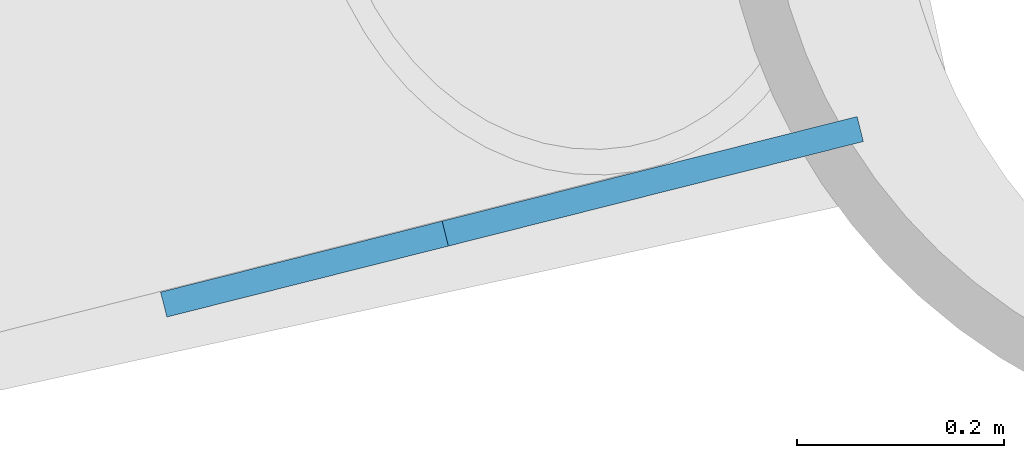
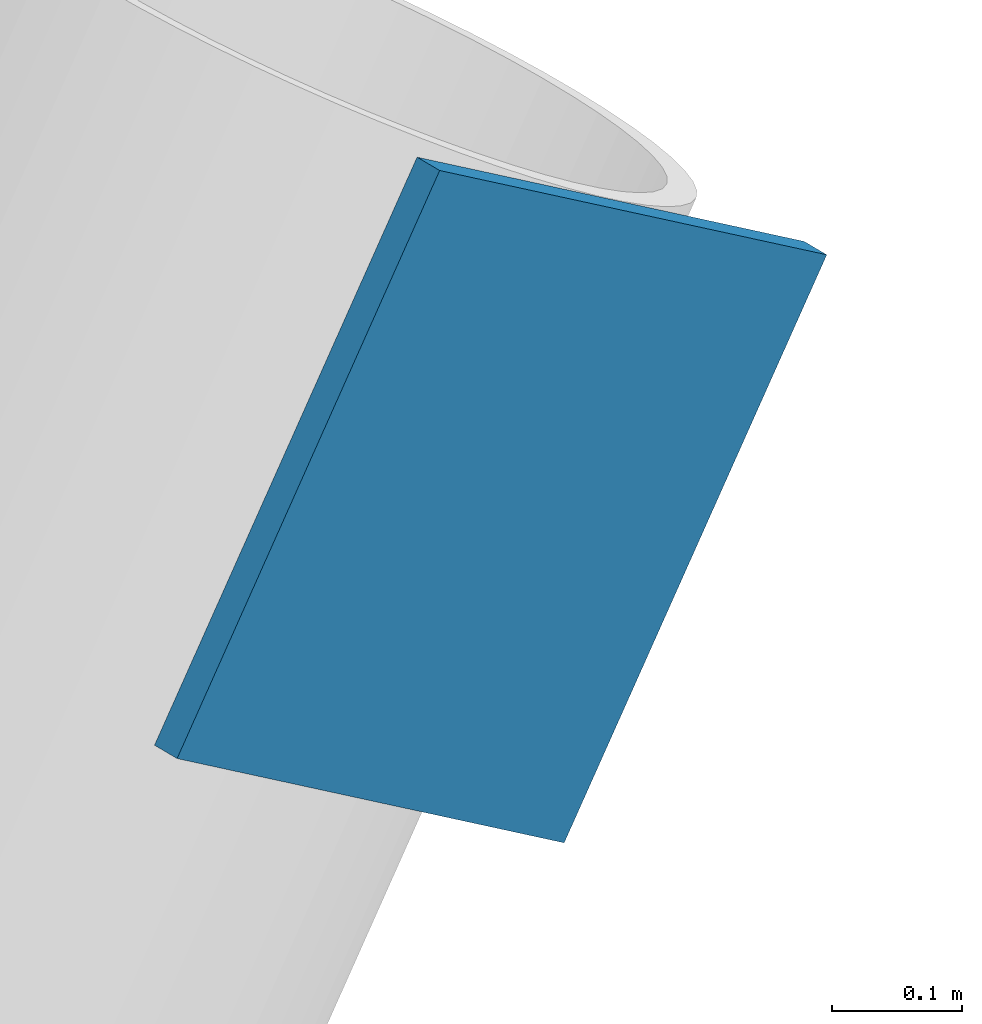
# One storey, part 14 of 23: 1 discrete accessory.
"""IFC4 building model written with IfcOpenShell, lengths in metres."""

from ifc_helpers import new_model, si_unit, direction, frame, origin, origin_2d, place, context, subcontext, project, spatial, rectangle, extrude, material, material_profile, profile_set, type_object, element, save


model = new_model("IFC4")

# Units and contexts
model_context = context("Model", 3, precision=1e-05, world=origin(), true_north=direction((0.0, 1.0)))
body_context = subcontext(model_context, "Body", "Model", "MODEL_VIEW")
ifc_project = project(units=[si_unit("LENGTHUNIT", "METRE"), si_unit("AREAUNIT", "SQUARE_METRE"), si_unit("VOLUMEUNIT", "CUBIC_METRE"), si_unit("PLANEANGLEUNIT", "RADIAN"), si_unit("MASSUNIT", "GRAM", prefix="KILO")], contexts=[model_context])

# Site, building, storey
site_placement = place(None, origin())
site = spatial("IfcSite", under=ifc_project, at=site_placement, CompositionType="ELEMENT")
building_placement = place(site_placement, origin())
building = spatial("IfcBuilding", under=site, at=building_placement, Name="Tarsis Ring Headquarters", CompositionType="ELEMENT")
storey_placement = place(building_placement, frame((0.0, 0.0, 131.800048828125)))
storey = spatial("IfcBuildingStorey", under=building, at=storey_placement, Name="L30", CompositionType="ELEMENT", Elevation=131.800048828125)

# Discrete accessory
ifc_material = material(Name="Structural steel S355", Category="steel")
ifc_material_profile = material_profile(ifc_material, rectangle(XDim=0.02490234375, YDim=0.5, at=origin_2d()), Name="PL 25x500")
ifc_profile_set = profile_set([ifc_material_profile], Name="Structural steel S355")
discrete_accessory_type = type_object("IfcDiscreteAccessoryType", Name="Gusset plate Exo brace 25", PredefinedType="BRACKET", material=ifc_profile_set)
discrete_accessory_placement = place(storey_placement, frame((-0.868896484375, 28.725341796875, 7.800048828125), z_axis=(-0.544374737597, -0.137192198444, -0.82754724684), x_axis=(0.244376838897, -0.969680339396, 0.0)))
element("IfcDiscreteAccessory", 1, at=discrete_accessory_placement, inside=storey, type_object=discrete_accessory_type, Name="Gusset plate GP5", PredefinedType="BRACKET", context=body_context, shape_type="SweptSolid", body=[
    extrude(rectangle(XDim=0.02490234375, YDim=0.5, at=origin_2d()), origin(), (0.0, 0.0, 1.0), 0.5),
])

save(model, "model.ifc")
